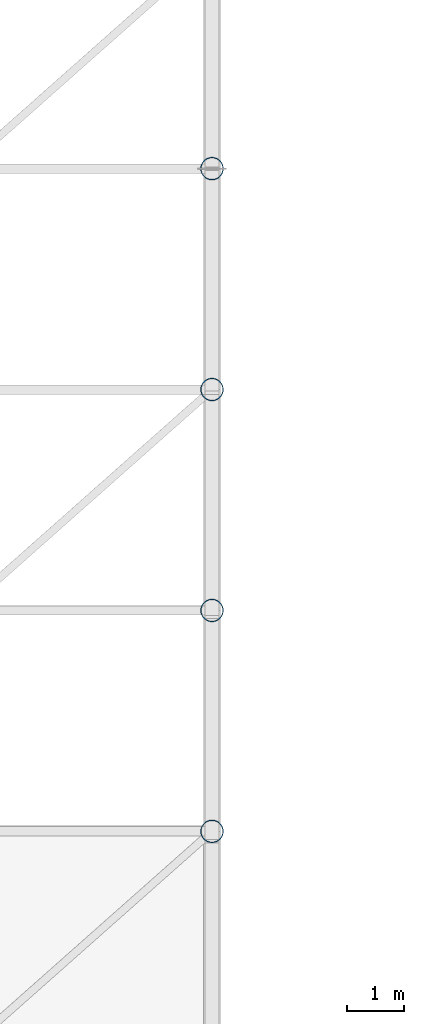
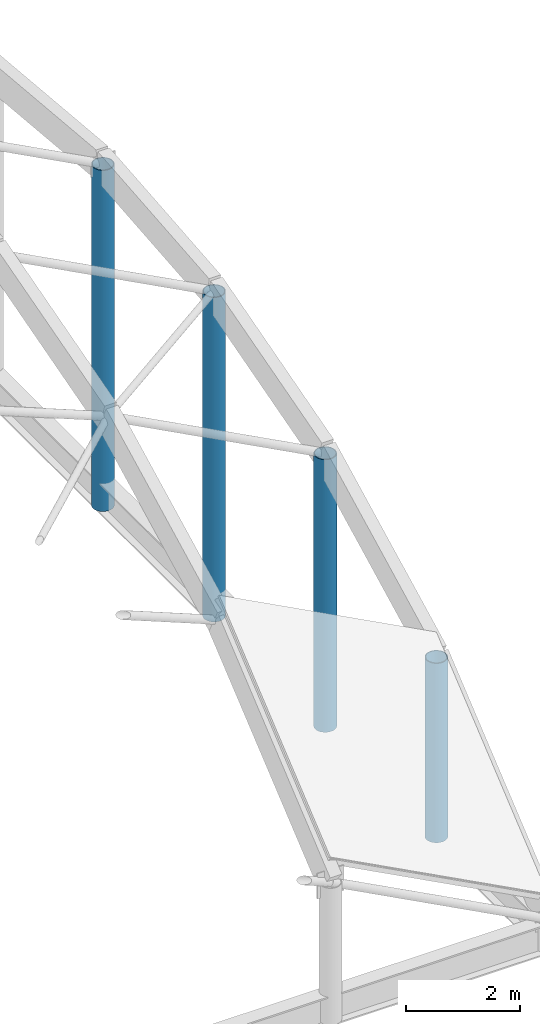
# One storey, part 6 of 119: 4 columns.
"""IFC4 building model written with IfcOpenShell, lengths in metres."""

from ifc_helpers import new_model, si_unit, direction, frame, origin, origin_2d, place, context, subcontext, project, spatial, hollow_circle, extrude, material, material_profile, profile_set, type_object, element, save


model = new_model("IFC4")

# Units and contexts
model_context = context("Model", 3, precision=1e-05, world=origin(), true_north=direction((0.0, 1.0)))
body_context = subcontext(model_context, "Body", "Model", "MODEL_VIEW")
ifc_project = project(units=[si_unit("LENGTHUNIT", "METRE"), si_unit("AREAUNIT", "SQUARE_METRE"), si_unit("VOLUMEUNIT", "CUBIC_METRE"), si_unit("PLANEANGLEUNIT", "RADIAN"), si_unit("MASSUNIT", "GRAM", prefix="KILO")], contexts=[model_context])

# Site, building, storey
site_placement = place(None, origin())
site = spatial("IfcSite", under=ifc_project, at=site_placement, CompositionType="ELEMENT")
building_placement = place(site_placement, origin())
building = spatial("IfcBuilding", under=site, at=building_placement, Name="Celorna Specialist Clinic", CompositionType="ELEMENT")
storey_placement = place(building_placement, frame((0.0, 0.0, 9.60009765625)))
storey = spatial("IfcBuildingStorey", under=building, at=storey_placement, Name="L02", CompositionType="ELEMENT", Elevation=9.60009765625)

# Columns
ifc_material = material(Name="Steel S355", Category="steel")
ifc_material_profile = material_profile(ifc_material, hollow_circle(Radius=0.203125, WallThickness=0.01611328125, at=origin_2d()), Name="CHS 406.4x16")
ifc_profile_set = profile_set([ifc_material_profile], Name="Steel S355")
column_type = type_object("IfcColumnType", Name="CT-12", PredefinedType="COLUMN", material=ifc_profile_set)
column_1_placement = place(storey_placement, frame((103.0, 50.699951171875, 0.0), z_axis=(0.0, 0.0, 1.0), x_axis=(1.0, 0.0, 0.0)))
element("IfcColumn", 1, at=column_1_placement, inside=storey, type_object=column_type, Name="Column CT-12 L02 X14A/YK", PredefinedType="COLUMN", context=body_context, shape_type="SweptSolid", body=[
    extrude(hollow_circle(Radius=0.203125, WallThickness=0.01611328125, at=origin_2d()), origin(), (0.0, 0.0, 1.0), 3.8427734375),
])
column_2_placement = place(storey_placement, frame((103.0, 54.60009765625, 0.0), z_axis=(0.0, 0.0, 1.0), x_axis=(1.0, 0.0, 0.0)))
element("IfcColumn", 2, at=column_2_placement, inside=storey, type_object=column_type, Name="Column CT-12 L02 X14A/YK", PredefinedType="COLUMN", context=body_context, shape_type="SweptSolid", body=[
    extrude(hollow_circle(Radius=0.203125, WallThickness=0.01611328125, at=origin_2d()), origin(), (0.0, 0.0, 1.0), 5.840087890625),
])
column_3_placement = place(storey_placement, frame((103.0, 58.5, 0.0), z_axis=(0.0, 0.0, 1.0), x_axis=(1.0, 0.0, 0.0)))
element("IfcColumn", 3, at=column_3_placement, inside=storey, type_object=column_type, Name="Column CT-12 L02 X14A/YL", PredefinedType="COLUMN", context=body_context, shape_type="SweptSolid", body=[
    extrude(hollow_circle(Radius=0.203125, WallThickness=0.01611328125, at=origin_2d()), origin(), (0.0, 0.0, 1.0), 6.9482421875),
])
column_4_placement = place(storey_placement, frame((103.0, 62.39990234375, 0.0), z_axis=(0.0, 0.0, 1.0), x_axis=(1.0, 0.0, 0.0)))
element("IfcColumn", 4, at=column_4_placement, inside=storey, type_object=column_type, Name="Column CT-12 L02 X14A/YM", PredefinedType="COLUMN", context=body_context, shape_type="SweptSolid", body=[
    extrude(hollow_circle(Radius=0.203125, WallThickness=0.01611328125, at=origin_2d()), origin(), (0.0, 0.0, 1.0), 7.304931640625),
])

save(model, "model.ifc")
